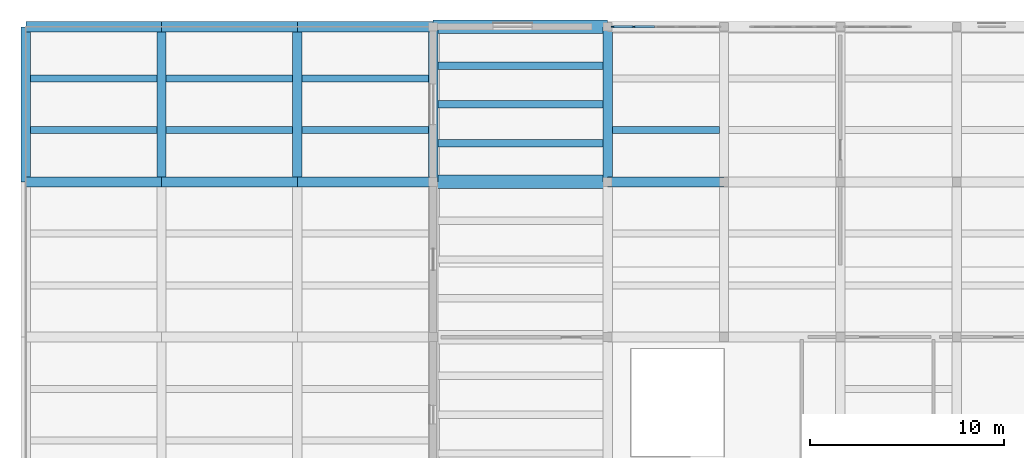
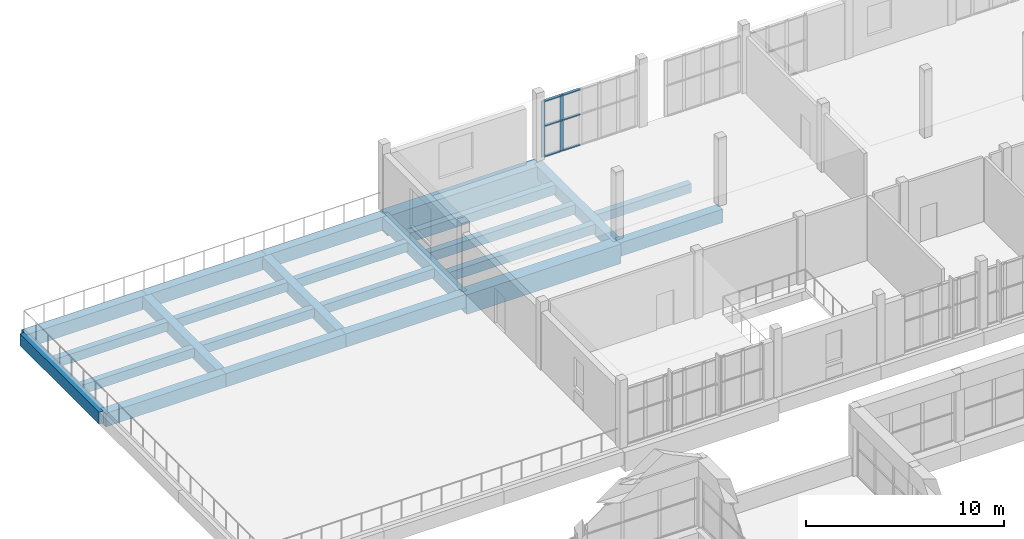
# One storey, part 28 of 70: 24 beams, 8 members, 1 element without a shape of its own.
"""IFC4 building model written with IfcOpenShell, lengths in metres."""

from ifc_helpers import new_model, si_unit, direction, frame, origin, origin_2d, place, context, subcontext, project, spatial, rectangle, extrude, material, layer, layer_set, material_profile, profile_set, type_object, element, aggregate, save


model = new_model("IFC4")

# Units and contexts
model_context = context("Model", 3, precision=1e-05, world=origin(), true_north=direction((0.0, 1.0)))
body_context = subcontext(model_context, "Body", "Model", "MODEL_VIEW")
ifc_project = project(units=[si_unit("LENGTHUNIT", "METRE"), si_unit("AREAUNIT", "SQUARE_METRE"), si_unit("VOLUMEUNIT", "CUBIC_METRE"), si_unit("PLANEANGLEUNIT", "RADIAN"), si_unit("MASSUNIT", "GRAM", prefix="KILO")], contexts=[model_context])

# Site, building, storey
site_placement = place(None, origin())
site = spatial("IfcSite", under=ifc_project, at=site_placement, CompositionType="ELEMENT")
building_placement = place(site_placement, origin())
building = spatial("IfcBuilding", under=site, at=building_placement, Name="Solvane Community Centre", CompositionType="ELEMENT")
storey_placement = place(building_placement, frame((0.0, 0.0, 9.60009765625)))
storey = spatial("IfcBuildingStorey", under=building, at=storey_placement, Name="L02", CompositionType="ELEMENT", Elevation=9.60009765625)

# Curtain wall, members
ifc_material_1 = material(Name="Anodised bronze aluminium AW-6063 T6", Category="aluminium")
ifc_layer = layer(ifc_material_1, 0.18994140625)
ifc_layer_set = layer_set([ifc_layer], Name="Anodised bronze aluminium AW-6063 T6")
curtain_wall_type = type_object("IfcCurtainWallType", Name="Boulevard Bronze Vision Curtain Wall [55x35dm]", PredefinedType="NOTDEFINED", material=ifc_layer_set)
curtain_wall_placement = place(storey_placement, origin())
curtain_wall = element("IfcCurtainWall", 1, at=curtain_wall_placement, inside=storey, type_object=curtain_wall_type, Name="Curtain Wall CW-L02-362_1100-206", PredefinedType="NOTDEFINED")
ifc_material_profile_1 = material_profile(ifc_material_1, rectangle(XDim=0.06005859375, YDim=0.18994140625, at=origin_2d()), Name="CW-M 60x190")
ifc_profile_set_1 = profile_set([ifc_material_profile_1], Name="Anodised bronze aluminium AW-6063 T6")
member_type_1 = type_object("IfcMemberType", Name="Boulevard Mullion 60x190", PredefinedType="MULLION", material=ifc_profile_set_1)
member_1_placement = place(storey_placement, frame((36.27490234375, 110.0, 0.0), z_axis=(0.0, 0.0, 1.0), x_axis=(0.0, 1.0, 0.0)))
member_1 = element("IfcMember", 2, at=member_1_placement, type_object=member_type_1, Name="CW02-55x35 mullion 1", PredefinedType="MULLION", context=body_context, shape_type="SweptSolid", body=[
    extrude(rectangle(XDim=0.06005859375, YDim=0.18994140625, at=origin_2d()), origin(), (0.0, 0.0, 1.0), 3.46484375),
])
member_2_placement = place(storey_placement, frame((37.346923828125, 110.0, 0.0), z_axis=(0.0, 0.0, 1.0), x_axis=(0.0, 1.0, 0.0)))
member_2 = element("IfcMember", 3, at=member_2_placement, type_object=member_type_1, Name="CW02-55x35 mullion 2", PredefinedType="MULLION", context=body_context, shape_type="SweptSolid", body=[
    extrude(rectangle(XDim=0.06005859375, YDim=0.18994140625, at=origin_2d()), origin(), (0.0, 0.0, 1.0), 3.46484375),
])
ifc_material_profile_2 = material_profile(ifc_material_1, rectangle(XDim=0.14990234375, YDim=0.06005859375, at=origin_2d()), Name="CW-T 60x150")
ifc_profile_set_2 = profile_set([ifc_material_profile_2], Name="Anodised bronze aluminium AW-6063 T6")
member_type_2 = type_object("IfcMemberType", Name="Boulevard Transom 60x150", PredefinedType="USERDEFINED", material=ifc_profile_set_2)
member_3_placement = place(storey_placement, frame((36.304931640625, 110.0, 0.02978515625), z_axis=(1.0, 0.0, 0.0), x_axis=(0.0, 1.0, 0.0)))
member_3 = element("IfcMember", 4, at=member_3_placement, type_object=member_type_2, Name="CW02-55x35 transom 1.1", ObjectType="TRANSOM", PredefinedType="USERDEFINED", context=body_context, shape_type="SweptSolid", body=[
    extrude(rectangle(XDim=0.14990234375, YDim=0.06005859375, at=origin_2d()), origin(), (0.0, 0.0, 1.0), 1.011962890625),
])
member_4_placement = place(storey_placement, frame((36.304931640625, 110.0, 1.906005859375), z_axis=(1.0, 0.0, 0.0), x_axis=(0.0, 1.0, 0.0)))
member_4 = element("IfcMember", 5, at=member_4_placement, type_object=member_type_2, Name="CW02-55x35 transom 1.2", ObjectType="TRANSOM", PredefinedType="USERDEFINED", context=body_context, shape_type="SweptSolid", body=[
    extrude(rectangle(XDim=0.14990234375, YDim=0.06005859375, at=origin_2d()), origin(), (0.0, 0.0, 1.0), 1.011962890625),
])
member_5_placement = place(storey_placement, frame((36.304931640625, 110.0, 3.434814453125), z_axis=(1.0, 0.0, 0.0), x_axis=(0.0, 1.0, 0.0)))
member_5 = element("IfcMember", 6, at=member_5_placement, type_object=member_type_2, Name="CW02-55x35 transom 1.3", ObjectType="TRANSOM", PredefinedType="USERDEFINED", context=body_context, shape_type="SweptSolid", body=[
    extrude(rectangle(XDim=0.14990234375, YDim=0.06005859375, at=origin_2d()), origin(), (0.0, 0.0, 1.0), 1.011962890625),
])
member_6_placement = place(storey_placement, frame((37.376953125, 110.0, 0.02978515625), z_axis=(1.0, 0.0, 0.0), x_axis=(0.0, 1.0, 0.0)))
member_6 = element("IfcMember", 7, at=member_6_placement, type_object=member_type_2, Name="CW02-55x35 transom 2.1", ObjectType="TRANSOM", PredefinedType="USERDEFINED", context=body_context, shape_type="SweptSolid", body=[
    extrude(rectangle(XDim=0.14990234375, YDim=0.06005859375, at=origin_2d()), origin(), (0.0, 0.0, 1.0), 1.0419921875),
])
member_7_placement = place(storey_placement, frame((37.376953125, 110.0, 1.906005859375), z_axis=(1.0, 0.0, 0.0), x_axis=(0.0, 1.0, 0.0)))
member_7 = element("IfcMember", 8, at=member_7_placement, type_object=member_type_2, Name="CW02-55x35 transom 2.2", ObjectType="TRANSOM", PredefinedType="USERDEFINED", context=body_context, shape_type="SweptSolid", body=[
    extrude(rectangle(XDim=0.14990234375, YDim=0.06005859375, at=origin_2d()), origin(), (0.0, 0.0, 1.0), 1.0419921875),
])
member_8_placement = place(storey_placement, frame((37.376953125, 110.0, 3.434814453125), z_axis=(1.0, 0.0, 0.0), x_axis=(0.0, 1.0, 0.0)))
member_8 = element("IfcMember", 9, at=member_8_placement, type_object=member_type_2, Name="CW02-55x35 transom 2.3", ObjectType="TRANSOM", PredefinedType="USERDEFINED", context=body_context, shape_type="SweptSolid", body=[
    extrude(rectangle(XDim=0.14990234375, YDim=0.06005859375, at=origin_2d()), origin(), (0.0, 0.0, 1.0), 1.0419921875),
])
aggregate(curtain_wall, [member_1, member_2, member_3, member_4, member_5, member_6, member_7, member_8])

# Beams
ifc_material_2 = material(Name="Concrete C35/45", Category="concrete")
ifc_material_profile_3 = material_profile(ifc_material_2, rectangle(XDim=0.47998046875, YDim=0.739990234375, at=origin_2d()), Name="RC 480x740")
ifc_profile_set_3 = profile_set([ifc_material_profile_3], Name="Concrete C35/45")
beam_type_1 = type_object("IfcBeamType", Name="RC Bay Beam 480x740", PredefinedType="BEAM", material=ifc_profile_set_3)
for number, where, z_axis, x_axis, name in (
    (10, (6.0, 102.0, -0.590087890625), (0.0, 1.0, 0.0), (-1.0, 0.0, 0.0), "Beam BM-L02-60_1020-60_1100"),
    (11, (13.0, 102.0, -0.590087890625), (0.0, 1.0, 0.0), (-1.0, 0.0, 0.0), "Beam BM-L02-130_1020-130_1100"),
    (12, (20.0, 102.0, -0.590087890625), (0.0, 1.0, 0.0), (-1.0, 0.0, 0.0), "Beam BM-L02-200_1020-200_1100"),
    (13, (27.0, 102.0, -0.590087890625), (0.0, 1.0, 0.0), (-1.0, 0.0, 0.0), "Beam BM-L02-270_1020-270_1100"),
    (14, (36.0, 102.0, -0.590087890625), (0.0, 1.0, 0.0), (-1.0, 0.0, 0.0), "Beam BM-L02-360_1020-360_1100"),
):
    element("IfcBeam", number, at=place(storey_placement, frame(where, z_axis=z_axis, x_axis=x_axis)), inside=storey, type_object=beam_type_1, Name=name, PredefinedType="BEAM", context=body_context, shape_type="SweptSolid", body=[
        extrude(rectangle(XDim=0.47998046875, YDim=0.739990234375, at=origin_2d()), origin(), (0.0, 0.0, 1.0), 8.0),
    ])
ifc_material_profile_4 = material_profile(ifc_material_2, rectangle(XDim=0.52001953125, YDim=0.830078125, at=origin_2d()), Name="RC 520x830")
ifc_profile_set_4 = profile_set([ifc_material_profile_4], Name="Concrete C35/45")
beam_type_2 = type_object("IfcBeamType", Name="RC Medium Girder 520x830", PredefinedType="USERDEFINED", material=ifc_profile_set_4)
for number, where, z_axis, x_axis, name in (
    (15, (6.0, 102.0, -0.635009765625), (1.0, 0.0, 0.0), (0.0, 1.0, 0.0), "Beam BM-L02-60_1020-130_1020"),
    (16, (13.0, 102.0, -0.635009765625), (1.0, 0.0, 0.0), (0.0, 1.0, 0.0), "Beam BM-L02-130_1020-200_1020"),
    (17, (20.0, 102.0, -0.635009765625), (1.0, 0.0, 0.0), (0.0, 1.0, 0.0), "Beam BM-L02-200_1020-270_1020"),
):
    element("IfcBeam", number, at=place(storey_placement, frame(where, z_axis=z_axis, x_axis=x_axis)), inside=storey, type_object=beam_type_2, Name=name, ObjectType="GIRDER", PredefinedType="USERDEFINED", context=body_context, shape_type="SweptSolid", body=[
        extrude(rectangle(XDim=0.52001953125, YDim=0.830078125, at=origin_2d()), origin(), (0.0, 0.0, 1.0), 7.0),
    ])
beam_1_placement = place(storey_placement, frame((36.0, 102.0, -0.635009765625), z_axis=(1.0, 0.0, 0.0), x_axis=(0.0, 1.0, 0.0)))
element("IfcBeam", 18, at=beam_1_placement, inside=storey, type_object=beam_type_2, Name="Beam BM-L02-360_1020-420_1020", ObjectType="GIRDER", PredefinedType="USERDEFINED", context=body_context, shape_type="SweptSolid", body=[
    extrude(rectangle(XDim=0.52001953125, YDim=0.830078125, at=origin_2d()), origin(), (0.0, 0.0, 1.0), 6.0),
])
for number, where, z_axis, x_axis, name in (
    (19, (6.0, 110.0, -0.635009765625), (1.0, 0.0, 0.0), (0.0, 1.0, 0.0), "Beam BM-L02-60_1100-130_1100"),
    (20, (13.0, 110.0, -0.635009765625), (1.0, 0.0, 0.0), (0.0, 1.0, 0.0), "Beam BM-L02-130_1100-200_1100"),
    (21, (20.0, 110.0, -0.635009765625), (1.0, 0.0, 0.0), (0.0, 1.0, 0.0), "Beam BM-L02-200_1100-270_1100"),
):
    element("IfcBeam", number, at=place(storey_placement, frame(where, z_axis=z_axis, x_axis=x_axis)), inside=storey, type_object=beam_type_2, Name=name, ObjectType="GIRDER", PredefinedType="USERDEFINED", context=body_context, shape_type="SweptSolid", body=[
        extrude(rectangle(XDim=0.52001953125, YDim=0.830078125, at=origin_2d()), origin(), (0.0, 0.0, 1.0), 7.0),
    ])
ifc_material_profile_5 = material_profile(ifc_material_2, rectangle(XDim=0.3798828125, YDim=0.580078125, at=origin_2d()), Name="RC 380x580")
ifc_profile_set_5 = profile_set([ifc_material_profile_5], Name="Concrete C35/45")
beam_type_3 = type_object("IfcBeamType", Name="RC Short Joist 380x580", PredefinedType="JOIST", material=ifc_profile_set_5)
for number, where, z_axis, x_axis, name in (
    (22, (27.239990234375, 104.0, -0.510009765625), (1.0, 0.0, 0.0), (0.0, 1.0, 0.0), "Beam BM-L02-272_1040-358_1040"),
    (23, (27.239990234375, 106.0, -0.510009765625), (1.0, 0.0, 0.0), (0.0, 1.0, 0.0), "Beam BM-L02-272_1060-358_1060"),
    (24, (27.239990234375, 108.0, -0.510009765625), (1.0, 0.0, 0.0), (0.0, 1.0, 0.0), "Beam BM-L02-272_1080-358_1080"),
):
    element("IfcBeam", number, at=place(storey_placement, frame(where, z_axis=z_axis, x_axis=x_axis)), inside=storey, type_object=beam_type_3, Name=name, PredefinedType="JOIST", context=body_context, shape_type="SweptSolid", body=[
        extrude(rectangle(XDim=0.3798828125, YDim=0.580078125, at=origin_2d()), origin(), (0.0, 0.0, 1.0), 8.52001953125),
    ])
ifc_material_profile_6 = material_profile(ifc_material_2, rectangle(XDim=0.360107421875, YDim=0.56005859375, at=origin_2d()), Name="RC 360x560")
ifc_profile_set_6 = profile_set([ifc_material_profile_6], Name="Concrete C35/45")
beam_type_4 = type_object("IfcBeamType", Name="RC Terrace Joist 360x560", PredefinedType="JOIST", material=ifc_profile_set_6)
for number, where, z_axis, x_axis, name in (
    (25, (6.239990234375, 104.666748046875, -0.5), (1.0, 0.0, 0.0), (0.0, 1.0, 0.0), "Beam BM-L02-62_1047-128_1047"),
    (26, (6.239990234375, 107.333251953125, -0.5), (1.0, 0.0, 0.0), (0.0, 1.0, 0.0), "Beam BM-L02-62_1073-128_1073"),
    (27, (13.239990234375, 104.666748046875, -0.5), (1.0, 0.0, 0.0), (0.0, 1.0, 0.0), "Beam BM-L02-132_1047-198_1047"),
    (28, (13.239990234375, 107.333251953125, -0.5), (1.0, 0.0, 0.0), (0.0, 1.0, 0.0), "Beam BM-L02-132_1073-198_1073"),
    (29, (20.239990234375, 104.666748046875, -0.5), (1.0, 0.0, 0.0), (0.0, 1.0, 0.0), "Beam BM-L02-202_1047-268_1047"),
    (30, (20.239990234375, 107.333251953125, -0.5), (1.0, 0.0, 0.0), (0.0, 1.0, 0.0), "Beam BM-L02-202_1073-268_1073"),
):
    element("IfcBeam", number, at=place(storey_placement, frame(where, z_axis=z_axis, x_axis=x_axis)), inside=storey, type_object=beam_type_4, Name=name, PredefinedType="JOIST", context=body_context, shape_type="SweptSolid", body=[
        extrude(rectangle(XDim=0.360107421875, YDim=0.56005859375, at=origin_2d()), origin(), (0.0, 0.0, 1.0), 6.52001953125),
    ])
beam_2_placement = place(storey_placement, frame((36.239990234375, 104.666748046875, -0.5), z_axis=(1.0, 0.0, 0.0), x_axis=(0.0, 1.0, 0.0)))
element("IfcBeam", 31, at=beam_2_placement, inside=storey, type_object=beam_type_4, Name="Beam BM-L02-362_1047-418_1047", PredefinedType="JOIST", context=body_context, shape_type="SweptSolid", body=[
    extrude(rectangle(XDim=0.360107421875, YDim=0.56005859375, at=origin_2d()), origin(), (0.0, 0.0, 1.0), 5.52001953125),
])
ifc_material_profile_7 = material_profile(ifc_material_2, rectangle(XDim=0.699951171875, YDim=1.199951171875, at=origin_2d()), Name="RC 700x1200")
ifc_profile_set_7 = profile_set([ifc_material_profile_7], Name="Concrete C35/45")
beam_type_5 = type_object("IfcBeamType", Name="RC Transfer Girder 700x1200", PredefinedType="USERDEFINED", material=ifc_profile_set_7)
for number, where, z_axis, x_axis, name in (
    (32, (27.0, 102.0, -0.820068359375), (1.0, 0.0, 0.0), (0.0, 1.0, 0.0), "Beam BM-L02-270_1020-360_1020"),
    (33, (27.0, 110.0, -0.820068359375), (1.0, 0.0, 0.0), (0.0, 1.0, 0.0), "Beam BM-L02-270_1100-360_1100"),
):
    element("IfcBeam", number, at=place(storey_placement, frame(where, z_axis=z_axis, x_axis=x_axis)), inside=storey, type_object=beam_type_5, Name=name, ObjectType="GIRDER", PredefinedType="USERDEFINED", context=body_context, shape_type="SweptSolid", body=[
        extrude(rectangle(XDim=0.699951171875, YDim=1.199951171875, at=origin_2d()), origin(), (0.0, 0.0, 1.0), 9.0),
    ])

save(model, "model.ifc")
